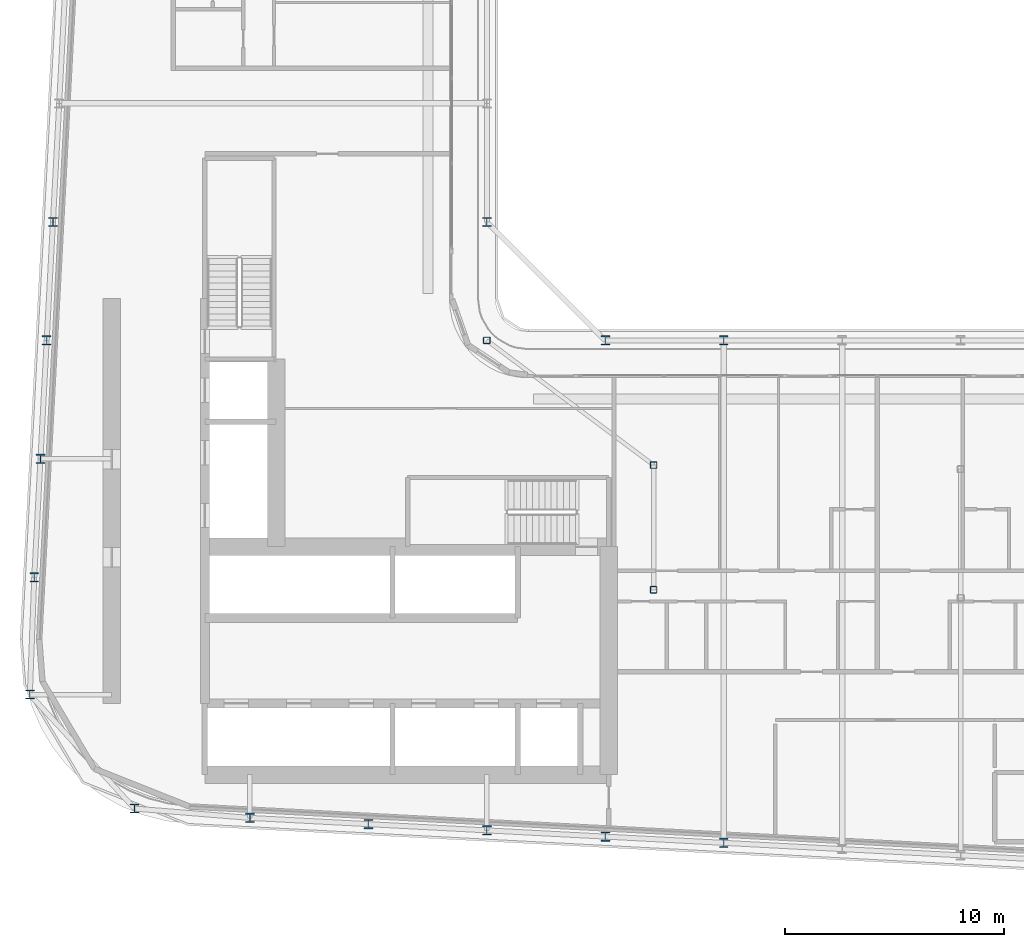
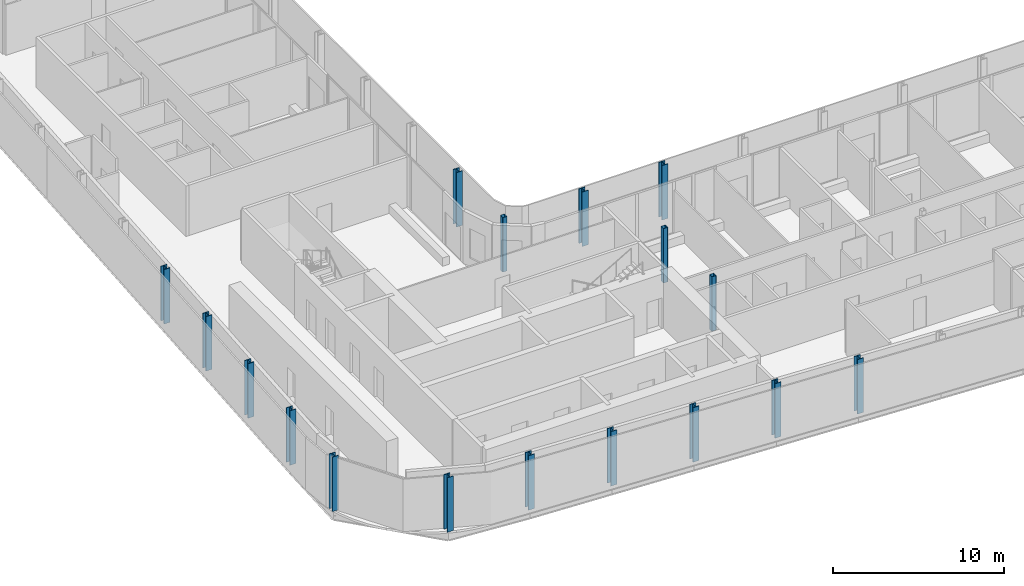
# One storey, part 1 of 29: 17 columns.
"""IFC4 building model written with IfcOpenShell, lengths in metres."""

from ifc_helpers import new_model, si_unit, direction, frame, origin, origin_2d, place, context, subcontext, project, spatial, hollow_rectangle, i_section, extrude, material, material_profile, profile_set, type_object, element, save


model = new_model("IFC4")

# Units and contexts
model_context = context("Model", 3, precision=1e-05, world=origin(), true_north=direction((0.0, 1.0)))
body_context = subcontext(model_context, "Body", "Model", "MODEL_VIEW")
ifc_project = project(units=[si_unit("LENGTHUNIT", "METRE"), si_unit("AREAUNIT", "SQUARE_METRE"), si_unit("VOLUMEUNIT", "CUBIC_METRE"), si_unit("PLANEANGLEUNIT", "RADIAN"), si_unit("MASSUNIT", "GRAM", prefix="KILO")], contexts=[model_context])

# Site, building, storey
site_placement = place(None, origin())
site = spatial("IfcSite", under=ifc_project, at=site_placement, CompositionType="ELEMENT")
building_placement = place(site_placement, origin())
building = spatial("IfcBuilding", under=site, at=building_placement, Name="Kheshtan School and Residences Tower", CompositionType="ELEMENT")
storey_placement = place(building_placement, frame((0.0, 0.0, 183.800048828125)))
storey = spatial("IfcBuildingStorey", under=building, at=storey_placement, Name="L43", CompositionType="ELEMENT", Elevation=183.800048828125)

# Columns
ifc_material_1 = material(Name="Steel ASTM A992 Grade 50", Category="steel")
ifc_material_profile_1 = material_profile(ifc_material_1, i_section(OverallWidth=0.408935546875, OverallDepth=0.425048828125, WebThickness=0.03271484375, FlangeThickness=0.052490234375, FilletRadius=0.0126953125, at=origin_2d()), Name="W360x421")
ifc_profile_set_1 = profile_set([ifc_material_profile_1], Name="Steel ASTM A992 Grade 50")
column_type_1 = type_object("IfcColumnType", Name="Column C3 W360x421 ASTM A992 Grade 50", PredefinedType="COLUMN", material=ifc_profile_set_1)
for number, where, z_axis, x_axis, name in (
    (1, (58.39990234375, 22.695068359375, 0.0), (0.0, 0.0, 1.0), (1.0, 0.0, 0.0), "Column C018"),
    (2, (53.0, 22.97998046875, 0.0), (0.0, 0.0, 1.0), (1.0, 0.0, 0.0), "Column C019"),
    (3, (47.60009765625, 23.263916015625, 0.0), (0.0, 0.0, 1.0), (1.0, 0.0, 0.0), "Column C020"),
    (4, (42.199951171875, 23.548095703125, 0.0), (0.0, 0.0, 1.0), (1.0, 0.0, 0.0), "Column C021"),
    (5, (36.800048828125, 23.83203125, 0.0), (0.0, 0.0, 1.0), (1.0, 0.0, 0.0), "Column C022"),
    (6, (31.5419921875, 24.257080078125, 0.0), (0.0, 0.0, 1.0), (1.0, 0.0, 0.0), "Column C025"),
    (7, (26.76904296875, 29.4541015625, 0.0), (0.0, 0.0, 1.0), (1.0, 0.0, 0.0), "Column C038"),
    (8, (26.968994140625, 34.800048828125, 0.0), (0.0, 0.0, 1.0), (1.0, 0.0, 0.0), "Column C052"),
    (9, (27.2529296875, 40.199951171875, 0.0), (0.0, 0.0, 1.0), (1.0, 0.0, 0.0), "Column C056"),
    (10, (27.537109375, 45.60009765625, 0.0), (0.0, 0.0, 1.0), (1.0, 0.0, 0.0), "Column C059"),
    (11, (53.0, 45.60009765625, 0.0), (0.0, 0.0, 1.0), (1.0, 0.0, 0.0), "Column C061"),
    (12, (58.39990234375, 45.60009765625, 0.0), (0.0, 0.0, 1.0), (1.0, 0.0, 0.0), "Column C062"),
    (13, (27.822021484375, 51.0, 0.0), (0.0, 0.0, 1.0), (1.0, 0.0, 0.0), "Column C078"),
    (14, (47.60009765625, 51.0, 0.0), (0.0, 0.0, 1.0), (1.0, 0.0, 0.0), "Column C079"),
):
    element("IfcColumn", number, at=place(storey_placement, frame(where, z_axis=z_axis, x_axis=x_axis)), inside=storey, type_object=column_type_1, Name=name, PredefinedType="COLUMN", context=body_context, shape_type="SweptSolid", body=[
        extrude(i_section(OverallWidth=0.408935546875, OverallDepth=0.425048828125, WebThickness=0.03271484375, FlangeThickness=0.052490234375, FilletRadius=0.0126953125, at=origin_2d()), origin(), (0.0, 0.0, 1.0), 3.89990234375),
    ])
ifc_material_2 = material(Name="Steel ASTM A500 Grade C", Category="steel")
ifc_material_profile_2 = material_profile(ifc_material_2, hollow_rectangle(XDim=0.304931640625, YDim=0.304931640625, WallThickness=0.015869140625, InnerFilletRadius=0.015869140625, OuterFilletRadius=0.03173828125, at=origin_2d()), Name="HSS 305x305x15.9")
ifc_profile_set_2 = profile_set([ifc_material_profile_2], Name="Steel ASTM A500 Grade C")
column_type_2 = type_object("IfcColumnType", Name="Column IC2 HSS 305x305x15.9 ASTM A500 Grade C", PredefinedType="COLUMN", material=ifc_profile_set_2)
for number, where, z_axis, x_axis, name in (
    (15, (55.199951171875, 34.23193359375, 0.0), (0.0, 0.0, 1.0), (1.0, 0.0, 0.0), "Column C051"),
    (16, (55.199951171875, 39.916015625, 0.0), (0.0, 0.0, 1.0), (1.0, 0.0, 0.0), "Column C055"),
    (17, (47.60009765625, 45.60009765625, 0.0), (0.0, 0.0, 1.0), (1.0, 0.0, 0.0), "Column C060"),
):
    element("IfcColumn", number, at=place(storey_placement, frame(where, z_axis=z_axis, x_axis=x_axis)), inside=storey, type_object=column_type_2, Name=name, PredefinedType="COLUMN", context=body_context, shape_type="SweptSolid", body=[
        extrude(hollow_rectangle(XDim=0.304931640625, YDim=0.304931640625, WallThickness=0.015869140625, InnerFilletRadius=0.015869140625, OuterFilletRadius=0.03173828125, at=origin_2d()), origin(), (0.0, 0.0, 1.0), 3.89990234375),
    ])

save(model, "model.ifc")
